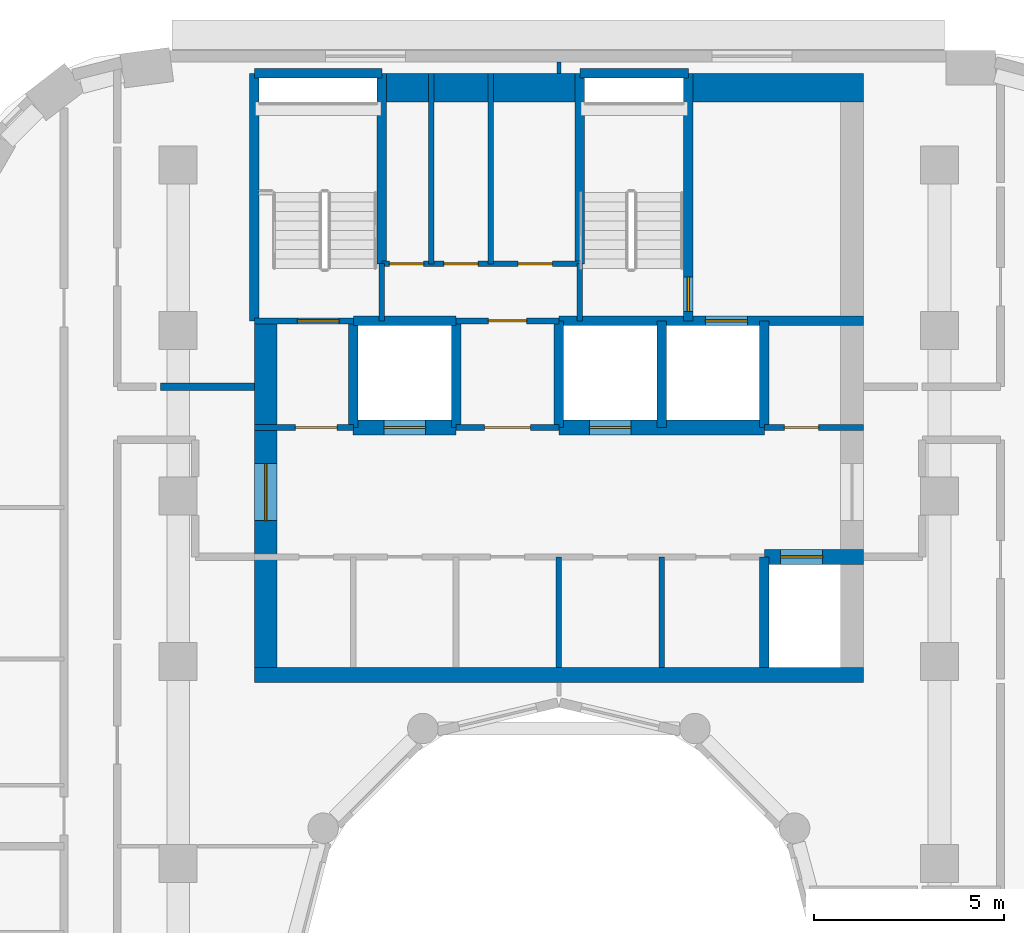
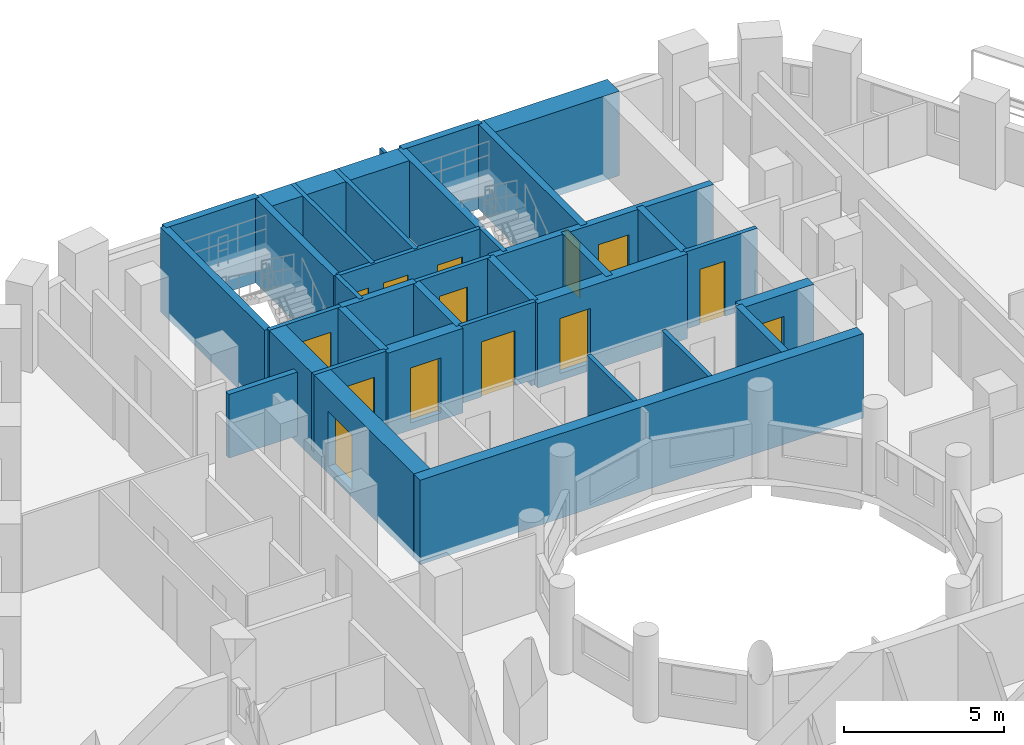
# One storey, part 8 of 14: 35 walls, 14 doors, 14 openings.
"""IFC4 building model written with IfcOpenShell, lengths in metres."""

from ifc_helpers import new_model, si_unit, direction, frame, frame_2d, origin, place, context, subcontext, project, spatial, rectangle, extrude, material, layer, layer_set, type_object, element, fill, save


model = new_model("IFC4")

# Units and contexts
model_context = context("Model", 3, precision=1e-05, world=origin(), true_north=direction((0.0, 1.0)))
body_context = subcontext(model_context, "Body", "Model", "MODEL_VIEW")
ifc_project = project(units=[si_unit("LENGTHUNIT", "METRE"), si_unit("AREAUNIT", "SQUARE_METRE"), si_unit("VOLUMEUNIT", "CUBIC_METRE"), si_unit("PLANEANGLEUNIT", "RADIAN"), si_unit("MASSUNIT", "GRAM", prefix="KILO")], contexts=[model_context])

# Site, building, storey
site_placement = place(None, origin())
site = spatial("IfcSite", under=ifc_project, at=site_placement, CompositionType="ELEMENT")
building_placement = place(site_placement, origin())
building = spatial("IfcBuilding", under=site, at=building_placement, Name="Nakaniwa Court", CompositionType="ELEMENT")
storey_placement = place(building_placement, frame((0.0, 0.0, 166.800048828125)))
storey = spatial("IfcBuildingStorey", under=building, at=storey_placement, Name="L44", CompositionType="ELEMENT", Elevation=166.800048828125)

# Walls
ifc_material_1 = material(Name="Acoustic double stud partition")
ifc_layer_1 = layer(ifc_material_1, 0.199951171875)
ifc_layer_set_1 = layer_set([ifc_layer_1], Name="Acoustic double stud partition")
wall_type_1 = type_object("IfcWallType", Name="Acoustic double stud partition 200", PredefinedType="PARTITIONING", material=ifc_layer_set_1)
wall_1_placement = place(storey_placement, frame((69.537109375, 95.175048828125, 0.0), z_axis=(0.0, 0.0, 1.0), x_axis=(1.0, 0.0, 0.0)))
element("IfcWall", 1, at=wall_1_placement, inside=storey, type_object=wall_type_1, Name="Partition PW-099", PredefinedType="PARTITIONING", context=body_context, shape_type="SweptSolid", body=[
    extrude(rectangle(XDim=2.462890625, YDim=0.199951171875, at=frame_2d((1.2314453125, 0.0))), origin(), (0.0, 0.0, 1.0), 2.429931640625),
])
ifc_material_2 = material(Name="Blockwork partition", Category="masonry")
ifc_layer_2 = layer(ifc_material_2, 0.14990234375)
ifc_layer_set_2 = layer_set([ifc_layer_2], Name="Blockwork partition")
wall_type_2 = type_object("IfcWallType", Name="Blockwork partition 150", PredefinedType="PARTITIONING", material=ifc_layer_set_2)
for number, where, z_axis, x_axis, name in (
    (2, (80.0, 87.800048828125, 0.0), (0.0, 0.0, 1.0), (0.0, 1.0, 0.0), "Partition PW-009"),
    (3, (82.699951171875, 87.800048828125, 0.0), (0.0, 0.0, 1.0), (0.0, 1.0, 0.0), "Partition PW-010"),
):
    element("IfcWall", number, at=place(storey_placement, frame(where, z_axis=z_axis, x_axis=x_axis)), inside=storey, type_object=wall_type_2, Name=name, PredefinedType="PARTITIONING", context=body_context, shape_type="SweptSolid", body=[
        extrude(rectangle(XDim=2.89990234375, YDim=0.14990234375, at=frame_2d((1.449951171875, 0.0))), origin(), (0.0, 0.0, 1.0), 2.949951171875),
    ])

# Wall, opening, door
wall_2_placement = place(storey_placement, frame((72.0, 94.10009765625, 0.0), z_axis=(0.0, 0.0, 1.0), x_axis=(1.0, 0.0, 0.0)))
wall_2 = element("IfcWall", 4, at=wall_2_placement, inside=storey, type_object=wall_type_2, Name="Partition PW-011", PredefinedType="PARTITIONING", context=body_context, shape_type="SweptSolid", body=[
    extrude(rectangle(XDim=2.60302734375, YDim=0.14990234375, at=frame_2d((1.301513671875, 0.0))), origin(), (0.0, 0.0, 1.0), 2.949951171875),
])
opening_1_placement = place(wall_2_placement, frame((1.074951171875, 0.0, 0.0)))
opening_1 = element("IfcOpeningElement", 5, at=opening_1_placement, cuts=wall_2, Name="Opening D-08-01", PredefinedType="OPENING", context=body_context, shape_type="SweptSolid", body=[
    extrude(rectangle(XDim=1.10009765625, YDim=2.10009765625, at=frame_2d((0.550048828125, 1.050048828125))), frame((0.0, 0.0849609375, 0.0), z_axis=(0.0, -1.0, 0.0), x_axis=(1.0, 0.0, 0.0)), (0.0, 0.0, 1.0), 0.169921875),
])
ifc_material_3 = material(Name="Fire rated steel door set", Category="steel")
door_type_1 = type_object("IfcDoorType", Name="Stair lobby door 1100", OperationType="NOTDEFINED", PredefinedType="DOOR", material=ifc_material_3)
door_1_placement = place(opening_1_placement, origin())
door_1 = element("IfcDoor", 6, at=door_1_placement, inside=storey, type_object=door_type_1, Name="Door D-08-01 L44-006", OperationType="SINGLE_SWING_LEFT", OverallHeight=2.10009765625, OverallWidth=1.10009765625, PredefinedType="DOOR", context=body_context, shape_type="SweptSolid", body=[
    extrude(rectangle(XDim=1.10009765625, YDim=2.10009765625, at=frame_2d((0.550048828125, 1.050048828125))), frame((0.0, 0.02490234375, 0.0), z_axis=(0.0, -1.0, 0.0), x_axis=(1.0, 0.0, 0.0)), (0.0, 0.0, 1.0), 0.050048828125),
])
fill(opening_1, door_1)

wall_3_placement = place(storey_placement, frame((77.297119140625, 94.10009765625, 0.0), z_axis=(0.0, 0.0, 1.0), x_axis=(1.0, 0.0, 0.0)))
wall_3 = element("IfcWall", 7, at=wall_3_placement, inside=storey, type_object=wall_type_2, Name="Partition PW-012", PredefinedType="PARTITIONING", context=body_context, shape_type="SweptSolid", body=[
    extrude(rectangle(XDim=2.705810546875, YDim=0.14990234375, at=frame_2d((1.35302734375, 0.0))), origin(), (0.0, 0.0, 1.0), 2.949951171875),
])
opening_2_placement = place(wall_3_placement, frame((0.7529296875, 0.0, 0.0)))
opening_2 = element("IfcOpeningElement", 8, at=opening_2_placement, cuts=wall_3, Name="Opening D-06-01", PredefinedType="OPENING", context=body_context, shape_type="SweptSolid", body=[
    extrude(rectangle(XDim=1.199951171875, YDim=2.10009765625, at=frame_2d((0.60009765625, 1.050048828125))), frame((0.0, 0.0849609375, 0.0), z_axis=(0.0, -1.0, 0.0), x_axis=(1.0, 0.0, 0.0)), (0.0, 0.0, 1.0), 0.169921875),
])
ifc_material_4 = material(Name="Fire rated steel double door set", Category="steel")
door_type_2 = type_object("IfcDoorType", Name="Service passage double door 1200", OperationType="NOTDEFINED", PredefinedType="DOOR", material=ifc_material_4)
door_2_placement = place(opening_2_placement, origin())
door_2 = element("IfcDoor", 9, at=door_2_placement, inside=storey, type_object=door_type_2, Name="Door D-06-01 L44-007", OperationType="DOUBLE_DOOR_SINGLE_SWING", OverallHeight=2.10009765625, OverallWidth=1.199951171875, PredefinedType="DOOR", context=body_context, shape_type="SweptSolid", body=[
    extrude(rectangle(XDim=1.199951171875, YDim=2.10009765625, at=frame_2d((0.60009765625, 1.050048828125))), frame((0.0, 0.02490234375, 0.0), z_axis=(0.0, -1.0, 0.0), x_axis=(1.0, 0.0, 0.0)), (0.0, 0.0, 1.0), 0.050048828125),
])
fill(opening_2, door_2)

wall_4_placement = place(storey_placement, frame((85.39697265625, 94.10009765625, 0.0), z_axis=(0.0, 0.0, 1.0), x_axis=(1.0, 0.0, 0.0)))
wall_4 = element("IfcWall", 10, at=wall_4_placement, inside=storey, type_object=wall_type_2, Name="Partition PW-013", PredefinedType="PARTITIONING", context=body_context, shape_type="SweptSolid", body=[
    extrude(rectangle(XDim=2.60302734375, YDim=0.14990234375, at=frame_2d((1.301513671875, 0.0))), origin(), (0.0, 0.0, 1.0), 2.949951171875),
])
opening_3_placement = place(wall_4_placement, frame((0.528076171875, 0.0, 0.0)))
opening_3 = element("IfcOpeningElement", 11, at=opening_3_placement, cuts=wall_4, Name="Opening D-05-06", PredefinedType="OPENING", context=body_context, shape_type="SweptSolid", body=[
    extrude(rectangle(XDim=0.89990234375, YDim=2.10009765625, at=frame_2d((0.449951171875, 1.050048828125))), frame((0.0, 0.0849609375, 0.0), z_axis=(0.0, -1.0, 0.0), x_axis=(1.0, 0.0, 0.0)), (0.0, 0.0, 1.0), 0.169921875),
])
door_type_3 = type_object("IfcDoorType", Name="Service room door 900", OperationType="NOTDEFINED", PredefinedType="DOOR", material=ifc_material_3)
door_3_placement = place(opening_3_placement, origin())
door_3 = element("IfcDoor", 12, at=door_3_placement, inside=storey, type_object=door_type_3, Name="Door D-05-06 L44-008", OperationType="SINGLE_SWING_LEFT", OverallHeight=2.10009765625, OverallWidth=0.89990234375, PredefinedType="DOOR", context=body_context, shape_type="SweptSolid", body=[
    extrude(rectangle(XDim=0.89990234375, YDim=2.10009765625, at=frame_2d((0.449951171875, 1.050048828125))), frame((0.0, 0.02490234375, 0.0), z_axis=(0.0, -1.0, 0.0), x_axis=(1.0, 0.0, 0.0)), (0.0, 0.0, 1.0), 0.050048828125),
])
fill(opening_3, door_3)

wall_5_placement = place(storey_placement, frame((77.300048828125, 96.89990234375, 0.0), z_axis=(0.0, 0.0, 1.0), x_axis=(1.0, 0.0, 0.0)))
wall_5 = element("IfcWall", 13, at=wall_5_placement, inside=storey, type_object=wall_type_2, Name="Partition PW-022", PredefinedType="PARTITIONING", context=body_context, shape_type="SweptSolid", body=[
    extrude(rectangle(XDim=2.699951171875, YDim=0.14990234375, at=frame_2d((1.35009765625, 0.0))), origin(), (0.0, 0.0, 1.0), 2.949951171875),
])
opening_4_placement = place(wall_5_placement, frame((0.85009765625, 0.0, 0.0)))
opening_4 = element("IfcOpeningElement", 14, at=opening_4_placement, cuts=wall_5, Name="Opening D-23-01", PredefinedType="OPENING", context=body_context, shape_type="SweptSolid", body=[
    extrude(rectangle(XDim=1.0, YDim=2.10009765625, at=frame_2d((0.5, 1.050048828125))), frame((0.0, 0.0849609375, 0.0), z_axis=(0.0, -1.0, 0.0), x_axis=(1.0, 0.0, 0.0)), (0.0, 0.0, 1.0), 0.169921875),
])
door_type_4 = type_object("IfcDoorType", Name="Service room door 1000", OperationType="NOTDEFINED", PredefinedType="DOOR", material=ifc_material_3)
door_4_placement = place(opening_4_placement, origin())
door_4 = element("IfcDoor", 15, at=door_4_placement, inside=storey, type_object=door_type_4, Name="Door D-23-01 L44-009", OperationType="SINGLE_SWING_RIGHT", OverallHeight=2.10009765625, OverallWidth=1.0, PredefinedType="DOOR", context=body_context, shape_type="SweptSolid", body=[
    extrude(rectangle(XDim=1.0, YDim=2.10009765625, at=frame_2d((0.5, 1.050048828125))), frame((0.0, 0.02490234375, 0.0), z_axis=(0.0, -1.0, 0.0), x_axis=(1.0, 0.0, 0.0)), (0.0, 0.0, 1.0), 0.050048828125),
])
fill(opening_4, door_4)

# Wall, openings, doors
wall_6_placement = place(storey_placement, frame((75.35009765625, 98.39990234375, 0.0), z_axis=(0.0, 0.0, 1.0), x_axis=(1.0, 0.0, 0.0)))
wall_6 = element("IfcWall", 16, at=wall_6_placement, inside=storey, type_object=wall_type_2, Name="Partition PW-034", PredefinedType="PARTITIONING", context=body_context, shape_type="SweptSolid", body=[
    extrude(rectangle(XDim=5.199951171875, YDim=0.14990234375, at=frame_2d((2.60009765625, 0.0))), origin(), (0.0, 0.0, 1.0), 2.949951171875),
])
opening_5_placement = place(wall_6_placement, frame((0.199951171875, 0.0, 0.0)))
opening_5 = element("IfcOpeningElement", 17, at=opening_5_placement, cuts=wall_6, Name="Opening D-05-07", PredefinedType="OPENING", context=body_context, shape_type="SweptSolid", body=[
    extrude(rectangle(XDim=0.89990234375, YDim=2.10009765625, at=frame_2d((0.449951171875, 1.050048828125))), frame((0.0, 0.0849609375, 0.0), z_axis=(0.0, -1.0, 0.0), x_axis=(1.0, 0.0, 0.0)), (0.0, 0.0, 1.0), 0.169921875),
])
opening_6_placement = place(wall_6_placement, frame((1.6298828125, 0.0, 0.0)))
opening_6 = element("IfcOpeningElement", 18, at=opening_6_placement, cuts=wall_6, Name="Opening D-05-08", PredefinedType="OPENING", context=body_context, shape_type="SweptSolid", body=[
    extrude(rectangle(XDim=0.89990234375, YDim=2.10009765625, at=frame_2d((0.449951171875, 1.050048828125))), frame((0.0, 0.0849609375, 0.0), z_axis=(0.0, -1.0, 0.0), x_axis=(1.0, 0.0, 0.0)), (0.0, 0.0, 1.0), 0.169921875),
])
opening_7_placement = place(wall_6_placement, frame((3.580078125, 0.0, 0.0)))
opening_7 = element("IfcOpeningElement", 19, at=opening_7_placement, cuts=wall_6, Name="Opening D-05-09", PredefinedType="OPENING", context=body_context, shape_type="SweptSolid", body=[
    extrude(rectangle(XDim=0.89990234375, YDim=2.10009765625, at=frame_2d((0.449951171875, 1.050048828125))), frame((0.0, 0.0849609375, 0.0), z_axis=(0.0, -1.0, 0.0), x_axis=(1.0, 0.0, 0.0)), (0.0, 0.0, 1.0), 0.169921875),
])
door_5_placement = place(opening_5_placement, origin())
door_5 = element("IfcDoor", 20, at=door_5_placement, inside=storey, type_object=door_type_3, Name="Door D-05-07 L44-010", OperationType="SINGLE_SWING_LEFT", OverallHeight=2.10009765625, OverallWidth=0.89990234375, PredefinedType="DOOR", context=body_context, shape_type="SweptSolid", body=[
    extrude(rectangle(XDim=0.89990234375, YDim=2.10009765625, at=frame_2d((0.449951171875, 1.050048828125))), frame((0.0, 0.02490234375, 0.0), z_axis=(0.0, -1.0, 0.0), x_axis=(1.0, 0.0, 0.0)), (0.0, 0.0, 1.0), 0.050048828125),
])
fill(opening_5, door_5)
door_6_placement = place(opening_6_placement, origin())
door_6 = element("IfcDoor", 21, at=door_6_placement, inside=storey, type_object=door_type_3, Name="Door D-05-08 L44-011", OperationType="SINGLE_SWING_RIGHT", OverallHeight=2.10009765625, OverallWidth=0.89990234375, PredefinedType="DOOR", context=body_context, shape_type="SweptSolid", body=[
    extrude(rectangle(XDim=0.89990234375, YDim=2.10009765625, at=frame_2d((0.449951171875, 1.050048828125))), frame((0.0, 0.02490234375, 0.0), z_axis=(0.0, -1.0, 0.0), x_axis=(1.0, 0.0, 0.0)), (0.0, 0.0, 1.0), 0.050048828125),
])
fill(opening_6, door_6)
door_7_placement = place(opening_7_placement, origin())
door_7 = element("IfcDoor", 22, at=door_7_placement, inside=storey, type_object=door_type_3, Name="Door D-05-09 L44-012", OperationType="SINGLE_SWING_LEFT", OverallHeight=2.10009765625, OverallWidth=0.89990234375, PredefinedType="DOOR", context=body_context, shape_type="SweptSolid", body=[
    extrude(rectangle(XDim=0.89990234375, YDim=2.10009765625, at=frame_2d((0.449951171875, 1.050048828125))), frame((0.0, 0.02490234375, 0.0), z_axis=(0.0, -1.0, 0.0), x_axis=(1.0, 0.0, 0.0)), (0.0, 0.0, 1.0), 0.050048828125),
])
fill(opening_7, door_7)

# Walls
for number, where, z_axis, x_axis, name in (
    (23, (76.64990234375, 98.39990234375, 0.0), (0.0, 0.0, 1.0), (0.0, 1.0, 0.0), "Partition PW-035"),
    (24, (78.2099609375, 98.39990234375, 0.0), (0.0, 0.0, 1.0), (0.0, 1.0, 0.0), "Partition PW-036"),
):
    element("IfcWall", number, at=place(storey_placement, frame(where, z_axis=z_axis, x_axis=x_axis)), inside=storey, type_object=wall_type_2, Name=name, PredefinedType="PARTITIONING", context=body_context, shape_type="SweptSolid", body=[
        extrude(rectangle(XDim=5.0, YDim=0.14990234375, at=frame_2d((2.5, 0.0))), origin(), (0.0, 0.0, 1.0), 2.949951171875),
    ])

# Wall, opening, door
ifc_material_5 = material(Name="Concrete C80/100", Category="concrete")
ifc_layer_3 = layer(ifc_material_5, 0.60009765625)
ifc_layer_set_3 = layer_set([ifc_layer_3], Name="Concrete C80/100")
wall_type_3 = type_object("IfcWallType", Name="Concrete core side wall 600 C80", PredefinedType="SHEAR", material=ifc_layer_set_3)
wall_7_placement = place(storey_placement, frame((72.300048828125, 87.800048828125, -0.275146484375), z_axis=(0.0, 0.0, 1.0), x_axis=(0.0, 1.0, 0.0)))
wall_7 = element("IfcWall", 25, at=wall_7_placement, inside=storey, type_object=wall_type_3, Name="Core wall SW-03", PredefinedType="SHEAR", context=body_context, shape_type="SweptSolid", body=[
    extrude(rectangle(XDim=9.099853515625, YDim=0.60009765625, at=frame_2d((4.5498046875, 0.0))), origin(), (0.0, 0.0, 1.0), 3.22509765625),
])
opening_8_placement = place(wall_7_placement, frame((3.85205078125, 0.0, 0.27490234375)))
opening_8 = element("IfcOpeningElement", 26, at=opening_8_placement, cuts=wall_7, Name="Opening D-07-02", PredefinedType="OPENING", context=body_context, shape_type="SweptSolid", body=[
    extrude(rectangle(XDim=1.5, YDim=2.10009765625, at=frame_2d((0.75, 1.050048828125))), frame((0.0, 0.31005859375, 0.0), z_axis=(0.0, -1.0, 0.0), x_axis=(1.0, 0.0, 0.0)), (0.0, 0.0, 1.0), 0.6201171875),
])
ifc_material_6 = material(Name="Glazed fire rated steel double door set", Category="steel")
door_type_5 = type_object("IfcDoorType", Name="Lobby double door 1500", OperationType="NOTDEFINED", PredefinedType="DOOR", material=ifc_material_6)
door_8_placement = place(opening_8_placement, origin())
door_8 = element("IfcDoor", 27, at=door_8_placement, inside=storey, type_object=door_type_5, Name="Door D-07-02 L44-059", OperationType="DOUBLE_DOOR_SINGLE_SWING", OverallHeight=2.10009765625, OverallWidth=1.5, PredefinedType="DOOR", context=body_context, shape_type="SweptSolid", body=[
    extrude(rectangle(XDim=1.5, YDim=2.10009765625, at=frame_2d((0.75, 1.050048828125))), frame((0.0, 0.02490234375, 0.0), z_axis=(0.0, -1.0, 0.0), x_axis=(1.0, 0.0, 0.0)), (0.0, 0.0, 1.0), 0.050048828125),
])
fill(opening_8, door_8)

ifc_layer_4 = layer(ifc_material_5, 0.39990234375)
ifc_layer_set_4 = layer_set([ifc_layer_4], Name="Concrete C80/100")
wall_type_4 = type_object("IfcWallType", Name="Concrete core spine wall 400 C80", PredefinedType="SHEAR", material=ifc_layer_set_4)
wall_8_placement = place(storey_placement, frame((85.39990234375, 90.699951171875, -0.275146484375), z_axis=(0.0, 0.0, 1.0), x_axis=(1.0, 0.0, 0.0)))
wall_8 = element("IfcWall", 28, at=wall_8_placement, inside=storey, type_object=wall_type_4, Name="Core wall SW-06", PredefinedType="SHEAR", context=body_context, shape_type="SweptSolid", body=[
    extrude(rectangle(XDim=2.60009765625, YDim=0.39990234375, at=frame_2d((1.300048828125, 0.0))), origin(), (0.0, 0.0, 1.0), 3.22509765625),
])
opening_9_placement = place(wall_8_placement, frame((0.425048828125, 0.0, 0.27490234375)))
opening_9 = element("IfcOpeningElement", 29, at=opening_9_placement, cuts=wall_8, Name="Opening LD01", PredefinedType="OPENING", context=body_context, shape_type="SweptSolid", body=[
    extrude(rectangle(XDim=1.10009765625, YDim=2.10009765625, at=frame_2d((0.550048828125, 1.050048828125))), frame((0.0, 0.2099609375, 0.0), z_axis=(0.0, -1.0, 0.0), x_axis=(1.0, 0.0, 0.0)), (0.0, 0.0, 1.0), 0.419921875),
])
ifc_material_7 = material(Name="Stainless steel sliding lift landing door", Category="steel")
door_type_6 = type_object("IfcDoorType", Name="Lift landing door 1100", OperationType="NOTDEFINED", PredefinedType="DOOR", material=ifc_material_7)
door_9_placement = place(opening_9_placement, origin())
door_9 = element("IfcDoor", 30, at=door_9_placement, inside=storey, type_object=door_type_6, Name="Lift landing door LD01 L44-001", OperationType="SLIDING_TO_LEFT", OverallHeight=2.10009765625, OverallWidth=1.10009765625, PredefinedType="DOOR", context=body_context, shape_type="SweptSolid", body=[
    extrude(rectangle(XDim=1.10009765625, YDim=2.10009765625, at=frame_2d((0.550048828125, 1.050048828125))), frame((0.0, 0.02490234375, 0.0), z_axis=(0.0, -1.0, 0.0), x_axis=(1.0, 0.0, 0.0)), (0.0, 0.0, 1.0), 0.050048828125),
])
fill(opening_9, door_9)

wall_9_placement = place(storey_placement, frame((74.596923828125, 94.10009765625, -0.275146484375), z_axis=(0.0, 0.0, 1.0), x_axis=(1.0, 0.0, 0.0)))
wall_9 = element("IfcWall", 31, at=wall_9_placement, inside=storey, type_object=wall_type_4, Name="Core wall SW-14", PredefinedType="SHEAR", context=body_context, shape_type="SweptSolid", body=[
    extrude(rectangle(XDim=2.7060546875, YDim=0.39990234375, at=frame_2d((1.35302734375, 0.0))), origin(), (0.0, 0.0, 1.0), 3.22509765625),
])
opening_10_placement = place(wall_9_placement, frame((0.802978515625, 0.0, 0.27490234375)))
opening_10 = element("IfcOpeningElement", 32, at=opening_10_placement, cuts=wall_9, Name="Opening LD02", PredefinedType="OPENING", context=body_context, shape_type="SweptSolid", body=[
    extrude(rectangle(XDim=1.10009765625, YDim=2.10009765625, at=frame_2d((0.550048828125, 1.050048828125))), frame((0.0, 0.2099609375, 0.0), z_axis=(0.0, -1.0, 0.0), x_axis=(1.0, 0.0, 0.0)), (0.0, 0.0, 1.0), 0.419921875),
])
door_10_placement = place(opening_10_placement, origin())
door_10 = element("IfcDoor", 33, at=door_10_placement, inside=storey, type_object=door_type_6, Name="Lift landing door LD02 L44-002", OperationType="SLIDING_TO_LEFT", OverallHeight=2.10009765625, OverallWidth=1.10009765625, PredefinedType="DOOR", context=body_context, shape_type="SweptSolid", body=[
    extrude(rectangle(XDim=1.10009765625, YDim=2.10009765625, at=frame_2d((0.550048828125, 1.050048828125))), frame((0.0, 0.02490234375, 0.0), z_axis=(0.0, -1.0, 0.0), x_axis=(1.0, 0.0, 0.0)), (0.0, 0.0, 1.0), 0.050048828125),
])
fill(opening_10, door_10)

wall_10_placement = place(storey_placement, frame((79.9970703125, 94.10009765625, -0.275146484375), z_axis=(0.0, 0.0, 1.0), x_axis=(1.0, 0.0, 0.0)))
wall_10 = element("IfcWall", 34, at=wall_10_placement, inside=storey, type_object=wall_type_4, Name="Core wall SW-15", PredefinedType="SHEAR", context=body_context, shape_type="SweptSolid", body=[
    extrude(rectangle(XDim=5.406005859375, YDim=0.39990234375, at=frame_2d((2.703125, 0.0))), origin(), (0.0, 0.0, 1.0), 3.22509765625),
])
opening_11_placement = place(wall_10_placement, frame((0.802978515625, 0.0, 0.27490234375)))
opening_11 = element("IfcOpeningElement", 35, at=opening_11_placement, cuts=wall_10, Name="Opening LD03", PredefinedType="OPENING", context=body_context, shape_type="SweptSolid", body=[
    extrude(rectangle(XDim=1.10009765625, YDim=2.10009765625, at=frame_2d((0.550048828125, 1.050048828125))), frame((0.0, 0.2099609375, 0.0), z_axis=(0.0, -1.0, 0.0), x_axis=(1.0, 0.0, 0.0)), (0.0, 0.0, 1.0), 0.419921875),
])
door_11_placement = place(opening_11_placement, origin())
door_11 = element("IfcDoor", 36, at=door_11_placement, inside=storey, type_object=door_type_6, Name="Lift landing door LD03 L44-003", OperationType="SLIDING_TO_LEFT", OverallHeight=2.10009765625, OverallWidth=1.10009765625, PredefinedType="DOOR", context=body_context, shape_type="SweptSolid", body=[
    extrude(rectangle(XDim=1.10009765625, YDim=2.10009765625, at=frame_2d((0.550048828125, 1.050048828125))), frame((0.0, 0.02490234375, 0.0), z_axis=(0.0, -1.0, 0.0), x_axis=(1.0, 0.0, 0.0)), (0.0, 0.0, 1.0), 0.050048828125),
])
fill(opening_11, door_11)

ifc_layer_5 = layer(ifc_material_5, 0.14990234375)
ifc_layer_set_5 = layer_set([ifc_layer_5], Name="Concrete C80/100")
wall_type_5 = type_object("IfcWallType", Name="Concrete core wall 150 C80", PredefinedType="SHEAR", material=ifc_layer_set_5)
wall_11_placement = place(storey_placement, frame((74.60009765625, 96.89990234375, -0.275146484375), z_axis=(0.0, 0.0, 1.0), x_axis=(-1.0, 0.0, 0.0)))
wall_11 = element("IfcWall", 37, at=wall_11_placement, inside=storey, type_object=wall_type_5, Name="Core wall SW-17", PredefinedType="SHEAR", context=body_context, shape_type="SweptSolid", body=[
    extrude(rectangle(XDim=2.60009765625, YDim=0.14990234375, at=frame_2d((1.300048828125, 0.0))), origin(), (0.0, 0.0, 1.0), 3.22509765625),
])
opening_12_placement = place(wall_11_placement, frame((0.3701171875, 0.0, 0.27490234375)))
opening_12 = element("IfcOpeningElement", 38, at=opening_12_placement, cuts=wall_11, Name="Opening D-09-01", PredefinedType="OPENING", context=body_context, shape_type="SweptSolid", body=[
    extrude(rectangle(XDim=1.10009765625, YDim=2.10009765625, at=frame_2d((0.550048828125, 1.050048828125))), frame((0.0, 0.0849609375, 0.0), z_axis=(0.0, -1.0, 0.0), x_axis=(1.0, 0.0, 0.0)), (0.0, 0.0, 1.0), 0.169921875),
])
door_type_7 = type_object("IfcDoorType", Name="Stair door 1100", OperationType="NOTDEFINED", PredefinedType="DOOR", material=ifc_material_3)
door_12_placement = place(opening_12_placement, origin())
door_12 = element("IfcDoor", 39, at=door_12_placement, inside=storey, type_object=door_type_7, Name="Door D-09-01 L44-013", OperationType="SINGLE_SWING_LEFT", OverallHeight=2.10009765625, OverallWidth=1.10009765625, PredefinedType="DOOR", context=body_context, shape_type="SweptSolid", body=[
    extrude(rectangle(XDim=1.10009765625, YDim=2.10009765625, at=frame_2d((0.550048828125, 1.050048828125))), frame((0.0, 0.02490234375, 0.0), z_axis=(0.0, -1.0, 0.0), x_axis=(1.0, 0.0, 0.0)), (0.0, 0.0, 1.0), 0.050048828125),
])
fill(opening_12, door_12)

# Walls
for number, where, z_axis, x_axis, name in (
    (40, (75.35009765625, 96.89990234375, -0.275146484375), (0.0, 0.0, 1.0), (0.0, 1.0, 0.0), "Core wall SW-24"),
    (41, (80.550048828125, 96.89990234375, -0.275146484375), (0.0, 0.0, 1.0), (0.0, 1.0, 0.0), "Core wall SW-30"),
):
    element("IfcWall", number, at=place(storey_placement, frame(where, z_axis=z_axis, x_axis=x_axis)), inside=storey, type_object=wall_type_5, Name=name, PredefinedType="SHEAR", context=body_context, shape_type="SweptSolid", body=[
        extrude(rectangle(XDim=1.503173828125, YDim=0.14990234375, at=frame_2d((0.75146484375, 0.0))), origin(), (0.0, 0.0, 1.0), 3.22509765625),
    ])
ifc_layer_6 = layer(ifc_material_5, 0.25)
ifc_layer_set_6 = layer_set([ifc_layer_6], Name="Concrete C80/100")
wall_type_6 = type_object("IfcWallType", Name="Concrete core wall 250 C80", PredefinedType="SHEAR", material=ifc_layer_set_6)
wall_12_placement = place(storey_placement, frame((72.0, 103.39990234375, -0.275146484375), z_axis=(0.0, 0.0, 1.0), x_axis=(1.0, 0.0, 0.0)))
element("IfcWall", 42, at=wall_12_placement, inside=storey, type_object=wall_type_6, Name="Core wall SW-26", PredefinedType="SHEAR", context=body_context, shape_type="SweptSolid", body=[
    extrude(rectangle(XDim=3.35009765625, YDim=0.25, at=frame_2d((1.675048828125, 0.0))), origin(), (0.0, 0.0, 1.0), 3.22509765625),
])
wall_13_placement = place(storey_placement, frame((80.550048828125, 103.39990234375, -0.275146484375), z_axis=(0.0, 0.0, 1.0), x_axis=(1.0, 0.0, 0.0)))
element("IfcWall", 43, at=wall_13_placement, inside=storey, type_object=wall_type_6, Name="Core wall SW-27", PredefinedType="SHEAR", context=body_context, shape_type="SweptSolid", body=[
    extrude(rectangle(XDim=2.849853515625, YDim=0.25, at=frame_2d((1.4248046875, 0.0))), origin(), (0.0, 0.0, 1.0), 3.22509765625),
])
wall_14_placement = place(storey_placement, frame((72.0, 96.89990234375, -0.275146484375), z_axis=(0.0, 0.0, 1.0), x_axis=(0.0, 1.0, 0.0)))
element("IfcWall", 44, at=wall_14_placement, inside=storey, type_object=wall_type_6, Name="Core wall SW-28", PredefinedType="SHEAR", context=body_context, shape_type="SweptSolid", body=[
    extrude(rectangle(XDim=6.5, YDim=0.25, at=frame_2d((3.25, 0.0))), origin(), (0.0, 0.0, 1.0), 3.22509765625),
])
ifc_layer_7 = layer(ifc_material_5, 0.75)
ifc_layer_set_7 = layer_set([ifc_layer_7], Name="Concrete C80/100")
wall_type_7 = type_object("IfcWallType", Name="Concrete core wall 750 C80", PredefinedType="SHEAR", material=ifc_layer_set_7)
wall_15_placement = place(storey_placement, frame((75.35009765625, 103.02490234375, -0.275146484375), z_axis=(0.0, 0.0, 1.0), x_axis=(1.0, 0.0, 0.0)))
element("IfcWall", 45, at=wall_15_placement, inside=storey, type_object=wall_type_7, Name="Core wall SW-32", PredefinedType="SHEAR", context=body_context, shape_type="SweptSolid", body=[
    extrude(rectangle(XDim=5.199951171875, YDim=0.75, at=frame_2d((2.60009765625, 0.0))), origin(), (0.0, 0.0, 1.0), 3.22509765625),
])
wall_16_placement = place(storey_placement, frame((83.39990234375, 103.02490234375, -0.275146484375), z_axis=(0.0, 0.0, 1.0), x_axis=(1.0, 0.0, 0.0)))
element("IfcWall", 46, at=wall_16_placement, inside=storey, type_object=wall_type_7, Name="Core wall SW-33", PredefinedType="SHEAR", context=body_context, shape_type="SweptSolid", body=[
    extrude(rectangle(XDim=4.60009765625, YDim=0.75, at=frame_2d((2.300048828125, 0.0))), origin(), (0.0, 0.0, 1.0), 3.22509765625),
])
ifc_layer_8 = layer(ifc_material_5, 0.39990234375)
ifc_layer_set_8 = layer_set([ifc_layer_8], Name="Concrete C80/100")
wall_type_8 = type_object("IfcWallType", Name="Concrete core well wall 400 C80", PredefinedType="SHEAR", material=ifc_layer_set_8)
wall_17_placement = place(storey_placement, frame((72.00390625, 87.60009765625, -0.275146484375), z_axis=(0.0, 0.0, 1.0), x_axis=(1.0, 0.0, 0.0)))
element("IfcWall", 47, at=wall_17_placement, inside=storey, type_object=wall_type_8, Name="Core wall SW-143", PredefinedType="SHEAR", context=body_context, shape_type="SweptSolid", body=[
    extrude(rectangle(XDim=15.9921875, YDim=0.39990234375, at=frame_2d((7.99609375, 0.0))), origin(), (0.0, 0.0, 1.0), 3.22509765625),
])
ifc_layer_9 = layer(ifc_material_5, 0.25)
ifc_layer_set_9 = layer_set([ifc_layer_9], Name="Concrete C80/100")
wall_type_9 = type_object("IfcWallType", Name="Concrete shaft wall 250 C80", PredefinedType="SHEAR", material=ifc_layer_set_9)
wall_18_placement = place(storey_placement, frame((85.39990234375, 87.800048828125, -0.275146484375), z_axis=(0.0, 0.0, 1.0), x_axis=(0.0, 1.0, 0.0)))
element("IfcWall", 48, at=wall_18_placement, inside=storey, type_object=wall_type_9, Name="Core wall SW-04", PredefinedType="SHEAR", context=body_context, shape_type="SweptSolid", body=[
    extrude(rectangle(XDim=2.89990234375, YDim=0.25, at=frame_2d((1.449951171875, 0.0))), origin(), (0.0, 0.0, 1.0), 3.22509765625),
])
for number, where, z_axis, x_axis, name in (
    (49, (85.39990234375, 94.10009765625, -0.275146484375), (0.0, 0.0, 1.0), (0.0, 1.0, 0.0), "Core wall SW-05"),
    (50, (74.60009765625, 94.10009765625, -0.275146484375), (0.0, 0.0, 1.0), (0.0, 1.0, 0.0), "Core wall SW-16"),
    (51, (77.300048828125, 94.10009765625, -0.275146484375), (0.0, 0.0, 1.0), (0.0, 1.0, 0.0), "Core wall SW-18"),
):
    element("IfcWall", number, at=place(storey_placement, frame(where, z_axis=z_axis, x_axis=x_axis)), inside=storey, type_object=wall_type_9, Name=name, PredefinedType="SHEAR", context=body_context, shape_type="SweptSolid", body=[
        extrude(rectangle(XDim=2.7998046875, YDim=0.25, at=frame_2d((1.39990234375, 0.0))), origin(), (0.0, 0.0, 1.0), 3.22509765625),
    ])
wall_19_placement = place(storey_placement, frame((74.60009765625, 96.89990234375, -0.275146484375), z_axis=(0.0, 0.0, 1.0), x_axis=(1.0, 0.0, 0.0)))
element("IfcWall", 52, at=wall_19_placement, inside=storey, type_object=wall_type_9, Name="Core wall SW-19", PredefinedType="SHEAR", context=body_context, shape_type="SweptSolid", body=[
    extrude(rectangle(XDim=2.699951171875, YDim=0.25, at=frame_2d((1.35009765625, 0.0))), origin(), (0.0, 0.0, 1.0), 3.22509765625),
])

# Wall, opening, door
wall_20_placement = place(storey_placement, frame((80.0, 96.89990234375, -0.275146484375), z_axis=(0.0, 0.0, 1.0), x_axis=(1.0, 0.0, 0.0)))
wall_20 = element("IfcWall", 53, at=wall_20_placement, inside=storey, type_object=wall_type_9, Name="Core wall SW-20", PredefinedType="SHEAR", context=body_context, shape_type="SweptSolid", body=[
    extrude(rectangle(XDim=8.0, YDim=0.25, at=frame_2d((4.0, 0.0))), origin(), (0.0, 0.0, 1.0), 3.22509765625),
])
opening_13_placement = place(wall_20_placement, frame((3.84912109375, 0.0, 0.27490234375)))
opening_13 = element("IfcOpeningElement", 54, at=opening_13_placement, cuts=wall_20, Name="Opening LD04", PredefinedType="OPENING", context=body_context, shape_type="SweptSolid", body=[
    extrude(rectangle(XDim=1.10009765625, YDim=2.10009765625, at=frame_2d((0.550048828125, 1.050048828125))), frame((0.0, 0.135009765625, 0.0), z_axis=(0.0, -1.0, 0.0), x_axis=(1.0, 0.0, 0.0)), (0.0, 0.0, 1.0), 0.27001953125),
])
door_13_placement = place(opening_13_placement, origin())
door_13 = element("IfcDoor", 55, at=door_13_placement, inside=storey, type_object=door_type_6, Name="Lift landing door LD04 L44-004", OperationType="SLIDING_TO_LEFT", OverallHeight=2.10009765625, OverallWidth=1.10009765625, PredefinedType="DOOR", context=body_context, shape_type="SweptSolid", body=[
    extrude(rectangle(XDim=1.10009765625, YDim=2.10009765625, at=frame_2d((0.550048828125, 1.050048828125))), frame((0.0, 0.02490234375, 0.0), z_axis=(0.0, -1.0, 0.0), x_axis=(1.0, 0.0, 0.0)), (0.0, 0.0, 1.0), 0.050048828125),
])
fill(opening_13, door_13)

# Walls
for number, where, z_axis, x_axis, name in (
    (56, (80.0, 94.10009765625, -0.275146484375), (0.0, 0.0, 1.0), (0.0, 1.0, 0.0), "Core wall SW-21"),
    (57, (82.699951171875, 94.10009765625, -0.275146484375), (0.0, 0.0, 1.0), (0.0, 1.0, 0.0), "Core wall SW-23"),
):
    element("IfcWall", number, at=place(storey_placement, frame(where, z_axis=z_axis, x_axis=x_axis)), inside=storey, type_object=wall_type_9, Name=name, PredefinedType="SHEAR", context=body_context, shape_type="SweptSolid", body=[
        extrude(rectangle(XDim=2.7998046875, YDim=0.25, at=frame_2d((1.39990234375, 0.0))), origin(), (0.0, 0.0, 1.0), 3.22509765625),
    ])
wall_21_placement = place(storey_placement, frame((75.35009765625, 98.39697265625, -0.275146484375), z_axis=(0.0, 0.0, 1.0), x_axis=(0.0, 1.0, 0.0)))
element("IfcWall", 58, at=wall_21_placement, inside=storey, type_object=wall_type_9, Name="Core wall SW-25", PredefinedType="SHEAR", context=body_context, shape_type="SweptSolid", body=[
    extrude(rectangle(XDim=5.0029296875, YDim=0.25, at=frame_2d((2.50146484375, 0.0))), origin(), (0.0, 0.0, 1.0), 3.22509765625),
])

# Wall, opening, door
wall_22_placement = place(storey_placement, frame((83.39990234375, 103.39990234375, -0.275146484375), z_axis=(0.0, 0.0, 1.0), x_axis=(0.0, -1.0, 0.0)))
wall_22 = element("IfcWall", 59, at=wall_22_placement, inside=storey, type_object=wall_type_9, Name="Core wall SW-29", PredefinedType="SHEAR", context=body_context, shape_type="SweptSolid", body=[
    extrude(rectangle(XDim=6.5, YDim=0.25, at=frame_2d((3.25, 0.0))), origin(), (0.0, 0.0, 1.0), 3.22509765625),
])
opening_14_placement = place(wall_22_placement, frame((5.35009765625, 0.0, 0.27490234375)))
opening_14 = element("IfcOpeningElement", 60, at=opening_14_placement, cuts=wall_22, Name="Opening D-11-01", PredefinedType="OPENING", context=body_context, shape_type="SweptSolid", body=[
    extrude(rectangle(XDim=0.89990234375, YDim=2.10009765625, at=frame_2d((0.449951171875, 1.050048828125))), frame((0.0, 0.135009765625, 0.0), z_axis=(0.0, -1.0, 0.0), x_axis=(1.0, 0.0, 0.0)), (0.0, 0.0, 1.0), 0.27001953125),
])
door_type_8 = type_object("IfcDoorType", Name="Stair door 900", OperationType="NOTDEFINED", PredefinedType="DOOR", material=ifc_material_3)
door_14_placement = place(opening_14_placement, origin())
door_14 = element("IfcDoor", 61, at=door_14_placement, inside=storey, type_object=door_type_8, Name="Door D-11-01 L44-014", OperationType="SINGLE_SWING_RIGHT", OverallHeight=2.10009765625, OverallWidth=0.89990234375, PredefinedType="DOOR", context=body_context, shape_type="SweptSolid", body=[
    extrude(rectangle(XDim=0.89990234375, YDim=2.10009765625, at=frame_2d((0.449951171875, 1.050048828125))), frame((0.0, 0.02490234375, 0.0), z_axis=(0.0, -1.0, 0.0), x_axis=(1.0, 0.0, 0.0)), (0.0, 0.0, 1.0), 0.050048828125),
])
fill(opening_14, door_14)

# Walls
wall_23_placement = place(storey_placement, frame((80.550048828125, 98.39697265625, -0.275146484375), z_axis=(0.0, 0.0, 1.0), x_axis=(0.0, 1.0, 0.0)))
element("IfcWall", 62, at=wall_23_placement, inside=storey, type_object=wall_type_9, Name="Core wall SW-31", PredefinedType="SHEAR", context=body_context, shape_type="SweptSolid", body=[
    extrude(rectangle(XDim=5.0029296875, YDim=0.25, at=frame_2d((2.50146484375, 0.0))), origin(), (0.0, 0.0, 1.0), 3.22509765625),
])
ifc_material_8 = material(Name="Single stud plasterboard partition")
ifc_layer_10 = layer(ifc_material_8, 0.10009765625)
ifc_layer_set_10 = layer_set([ifc_layer_10], Name="Single stud plasterboard partition")
wall_type_10 = type_object("IfcWallType", Name="Single stud plasterboard partition 100", PredefinedType="PARTITIONING", material=ifc_layer_set_10)
wall_24_placement = place(storey_placement, frame((80.0, 103.39990234375, 0.0), z_axis=(0.0, 0.0, 1.0), x_axis=(0.0, 1.0, 0.0)))
element("IfcWall", 63, at=wall_24_placement, inside=storey, type_object=wall_type_10, Name="Partition PW-118", PredefinedType="PARTITIONING", context=body_context, shape_type="SweptSolid", body=[
    extrude(rectangle(XDim=0.300048828125, YDim=0.10009765625, at=frame_2d((0.14990234375, 0.0))), origin(), (0.0, 0.0, 1.0), 2.949951171875),
])

save(model, "model.ifc")
